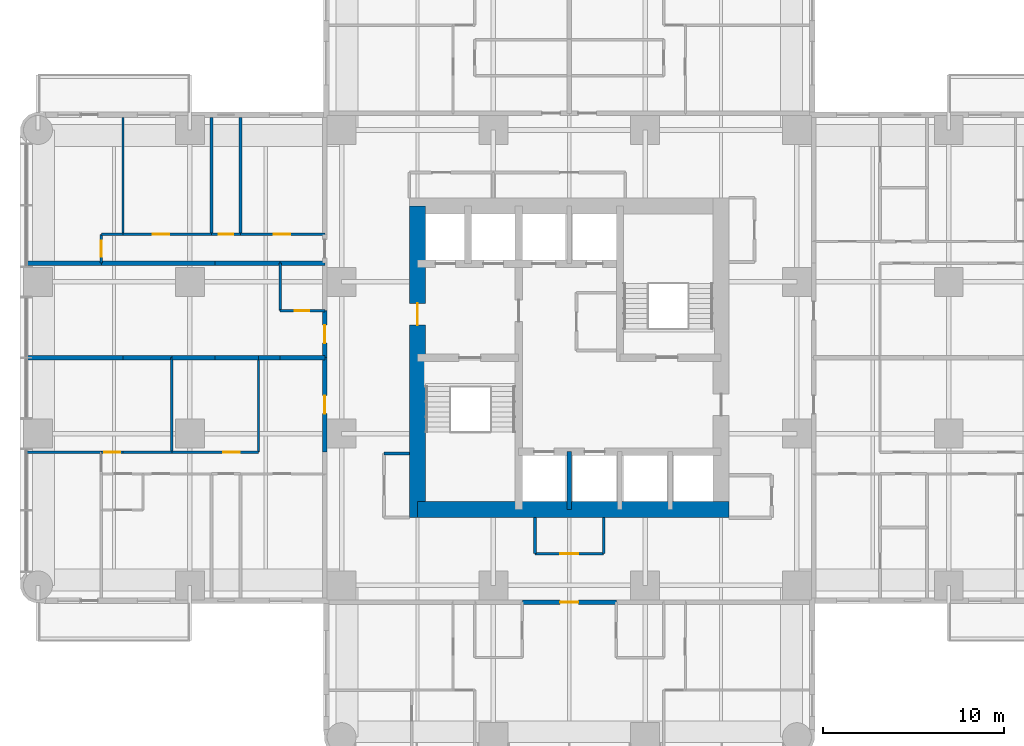
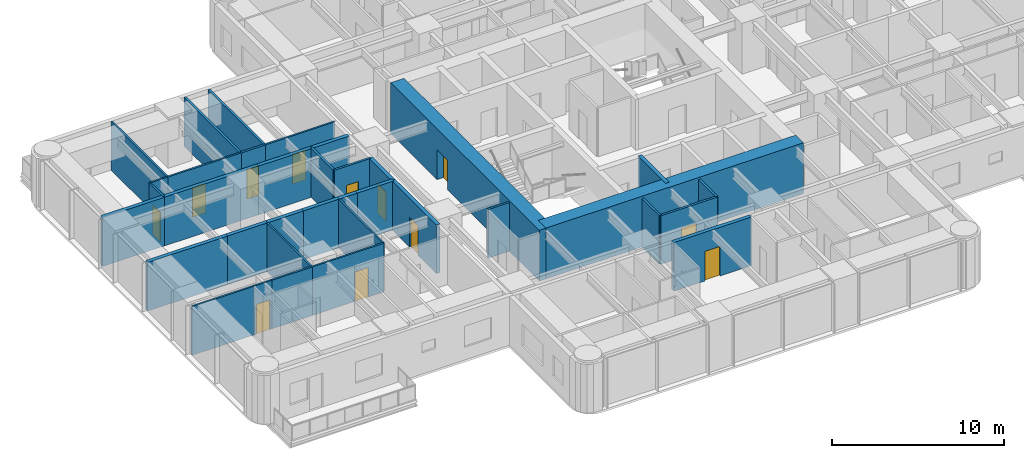
# One storey, part 7 of 15: 36 walls, 12 doors, 12 openings.
"""IFC4 building model written with IfcOpenShell, lengths in metres."""

import ifcopenshell
import ifcopenshell.guid

model = None  # the IFC model being written
_history = None  # IfcOwnerHistory: only IFC2X3 demands one
_inside = {}  # id of a spatial element -> (the spatial element, [elements in it])
_under = {}  # id of a project, library or spatial element -> (it, [spatial elements below it])
_declared = {}  # id of a project -> (the project, [libraries it declares])
_typed = {}  # id of a type object -> (the type object, [elements of that type])
_made_of = {}  # id of a material, layer set ... -> (it, [elements and type objects made of it])


def new_model(schema):
    """Start an empty IFC model of exactly this schema.

    Asked for "IFC4X3", IfcOpenShell would pick the latest addendum, in which some entities
    have other attributes; the version numbers below select the first issue.
    IFC2X3 requires an IfcOwnerHistory on every rooted entity: one is made here for all.
    """
    global model, _history
    if schema == "IFC4X3":
        model = ifcopenshell.file(schema_version=(4, 3, 0, 0))
    else:
        model = ifcopenshell.file(schema=schema)
    _inside.clear()
    _under.clear()
    _declared.clear()
    _typed.clear()
    _made_of.clear()
    _history = None
    if model.schema == "IFC2X3":
        org = make("IfcOrganization", Name="unknown")
        user = make(
            "IfcPersonAndOrganization",
            ThePerson=make("IfcPerson", FamilyName="unknown"),
            TheOrganization=org,
        )
        app = make(
            "IfcApplication",
            ApplicationDeveloper=org,
            Version="unknown",
            ApplicationFullName="unknown",
            ApplicationIdentifier="unknown",
        )
        _history = make(
            "IfcOwnerHistory",
            OwningUser=user,
            OwningApplication=app,
            ChangeAction="ADDED",
            CreationDate=0,
        )
    return model


def make(cls, **values):
    """One entity of the class cls with the attributes given. An attribute that is None is left unset."""
    return model.create_entity(
        cls, **{name: value for name, value in values.items() if value is not None}
    )


def rooted(cls, **values):
    """An entity with a GlobalId (a new one), such as an element, a storey or a relation."""
    return make(cls, GlobalId=ifcopenshell.guid.new(), OwnerHistory=_history, **values)


def si_unit(unit_type, name, prefix=None):
    """IfcSIUnit, for example si_unit("LENGTHUNIT", "METRE", prefix="MILLI")."""
    return make("IfcSIUnit", UnitType=unit_type, Prefix=prefix, Name=name)


def assignment(units):
    """IfcUnitAssignment: the units of a project."""
    return None if units is None else make("IfcUnitAssignment", Units=units)


def point(xyz):
    """IfcCartesianPoint."""
    return None if xyz is None else make("IfcCartesianPoint", Coordinates=xyz)


def direction(xyz):
    """IfcDirection."""
    return None if xyz is None else make("IfcDirection", DirectionRatios=xyz)


def frame(location, z_axis=None, x_axis=None):
    """IfcAxis2Placement3D, a coordinate frame: its origin and axes. An axis left out is left unset."""
    return make(
        "IfcAxis2Placement3D",
        Location=point(location),
        Axis=direction(z_axis),
        RefDirection=direction(x_axis),
    )


def frame_2d(location, x_axis=None):
    """IfcAxis2Placement2D, a coordinate frame in the plane: its origin and x axis."""
    return make(
        "IfcAxis2Placement2D", Location=point(location), RefDirection=direction(x_axis)
    )


def origin():
    """The frame at (0, 0, 0) with its axes left unset."""
    return frame((0.0, 0.0, 0.0))


def place(relative_to, where):
    """IfcLocalPlacement: puts the frame where relative to a parent placement (None: the world)."""
    return make(
        "IfcLocalPlacement", PlacementRelTo=relative_to, RelativePlacement=where
    )


def context(
    kind, dimensions, precision=None, world=None, true_north=None, identifier=None
):
    """IfcGeometricRepresentationContext, for example the 3D "Model" context."""
    return make(
        "IfcGeometricRepresentationContext",
        ContextIdentifier=identifier,
        ContextType=kind,
        CoordinateSpaceDimension=dimensions,
        Precision=precision,
        WorldCoordinateSystem=world,
        TrueNorth=true_north,
    )


def subcontext(parent, identifier, kind, view, scale=None):
    """IfcGeometricRepresentationSubContext, for example "Body" below "Model"."""
    return make(
        "IfcGeometricRepresentationSubContext",
        ContextIdentifier=identifier,
        ContextType=kind,
        ParentContext=parent,
        TargetScale=scale,
        TargetView=view,
    )


def project(units=None, contexts=None):
    """IfcProject with its units and contexts."""
    return rooted(
        "IfcProject",
        Name="project",
        RepresentationContexts=contexts,
        UnitsInContext=assignment(units),
    )


def spatial(cls, under=None, at=None, **own):
    """A site, building, storey or space (cls), placed at a placement, below another one or the project."""
    s = rooted(cls, ObjectPlacement=at, **own)
    if under is not None:
        _under.setdefault(under.id(), (under, []))[1].append(s)
    return s


def profile(cls, at=None, kind="AREA", **sizes):
    """A parametric profile (cls). Its sizes go by their IFC names, for example OverallWidth=200.0."""
    return make(cls, ProfileType=kind, Position=at, **sizes)


def rectangle(**sizes):
    """IfcRectangleProfileDef."""
    return profile("IfcRectangleProfileDef", **sizes)


def extrude(swept, where, along, depth):
    """IfcExtrudedAreaSolid: the profile swept, set in the frame where, extruded along a direction by depth."""
    return make(
        "IfcExtrudedAreaSolid",
        SweptArea=swept,
        Position=where,
        ExtrudedDirection=direction(along),
        Depth=depth,
    )


def shape(context_of_items, identifier, shape_type, items):
    """IfcShapeRepresentation: the items that make up one representation, for example the "Body"."""
    return make(
        "IfcShapeRepresentation",
        ContextOfItems=context_of_items,
        RepresentationIdentifier=identifier,
        RepresentationType=shape_type,
        Items=items,
    )


def material(Name=None, Category=None):
    """IfcMaterial."""
    return make("IfcMaterial", Name=Name, Category=Category)


def layer(
    of_material, thickness, ventilated=None, Name=None, Category=None, Priority=None
):
    """IfcMaterialLayer: one layer of a wall or slab, of a material (None: an air gap)."""
    return make(
        "IfcMaterialLayer",
        Material=of_material,
        LayerThickness=thickness,
        IsVentilated=ventilated,
        Name=Name,
        Category=Category,
        Priority=Priority,
    )


def layer_set(layers, Name=None):
    """IfcMaterialLayerSet."""
    return make("IfcMaterialLayerSet", MaterialLayers=layers, LayerSetName=Name)


def made_of(thing, what):
    """Note that an element or type object is made of a material, layer set ...; save() writes the relation."""
    if what is not None:
        _made_of.setdefault(what.id(), (what, []))[1].append(thing)
    return thing


def type_object(cls, material=None, **own):
    """A type object (cls), such as IfcWallType, which elements share."""
    return made_of(rooted(cls, **own), material)


def element(
    cls,
    number,
    at=None,
    inside=None,
    cuts=None,
    type_object=None,
    material=None,
    context=None,
    identifier="Body",
    shape_type=None,
    held_by="IfcProductDefinitionShape",
    body=None,
    shapes=None,
    **own,
):
    """One element of the class cls, such as IfcWall. Its Tag is "e" and its number.

    at: its placement. inside: the storey or other place that contains it. cuts: it is an
    opening in that element (IfcRelVoidsElement). A single representation is given by context,
    identifier, shape_type and body (its items); several are given by shapes. held_by: the class
    of the entity that holds the representations. save() writes the other relations.
    """
    e = rooted(cls, Tag="e%d" % number, ObjectPlacement=at, **own)
    if body is not None:
        shapes = [shape(context, identifier, shape_type, body)]
    if shapes is not None:
        e.Representation = make(held_by, Representations=shapes)
    if inside is not None:
        _inside.setdefault(inside.id(), (inside, []))[1].append(e)
    if cuts is not None:
        rooted(
            "IfcRelVoidsElement", RelatingBuildingElement=cuts, RelatedOpeningElement=e
        )
    if type_object is not None:
        _typed.setdefault(type_object.id(), (type_object, []))[1].append(e)
    return made_of(e, material)


def fill(opening, filler):
    """IfcRelFillsElement: the door or window that sits in an opening."""
    return rooted(
        "IfcRelFillsElement",
        RelatingOpeningElement=opening,
        RelatedBuildingElement=filler,
    )


def aggregate(whole, parts):
    """IfcRelAggregates: a whole, such as a stair, and the parts it consists of."""
    return rooted("IfcRelAggregates", RelatingObject=whole, RelatedObjects=parts)


def save(model, path):
    """Write the relations noted so far, then the file.

    IfcRelAggregates (storeys below a building ...), IfcRelContainedInSpatialStructure (elements
    in a storey), IfcRelDefinesByType, IfcRelAssociatesMaterial and IfcRelDeclares: one each for
    every whole, place, type object, material and project.
    """
    for whole, parts in _under.values():
        aggregate(whole, parts)
    for where, things in _inside.values():
        rooted(
            "IfcRelContainedInSpatialStructure",
            RelatedElements=things,
            RelatingStructure=where,
        )
    for kind, things in _typed.values():
        rooted("IfcRelDefinesByType", RelatedObjects=things, RelatingType=kind)
    for what, things in _made_of.values():
        rooted("IfcRelAssociatesMaterial", RelatedObjects=things, RelatingMaterial=what)
    for by, libraries in _declared.values():
        rooted("IfcRelDeclares", RelatingContext=by, RelatedDefinitions=libraries)
    model.write(path)


model = new_model("IFC4")

# Units and contexts
model_context = context("Model", 3, precision=1e-05, world=origin(), true_north=direction((0.0, 1.0)))
body_context = subcontext(model_context, "Body", "Model", "MODEL_VIEW")
ifc_project = project(units=[si_unit("LENGTHUNIT", "METRE"), si_unit("AREAUNIT", "SQUARE_METRE"), si_unit("VOLUMEUNIT", "CUBIC_METRE"), si_unit("PLANEANGLEUNIT", "RADIAN"), si_unit("MASSUNIT", "GRAM", prefix="KILO")], contexts=[model_context])

# Site, building, storey
site_placement = place(None, origin())
site = spatial("IfcSite", under=ifc_project, at=site_placement, CompositionType="ELEMENT")
building_placement = place(site_placement, origin())
building = spatial("IfcBuilding", under=site, at=building_placement, Name="Torre Alcanfor", CompositionType="ELEMENT")
storey_placement = place(building_placement, frame((0.0, 0.0, 116.10009765625)))
storey = spatial("IfcBuildingStorey", under=building, at=storey_placement, Name="L29", CompositionType="ELEMENT", Elevation=116.10009765625)

# Wall, opening, door
ifc_material_1 = material(Name="Concrete block masonry, hollow blocks NMX-C-404 9 MPa", Category="masonry")
ifc_layer_1 = layer(ifc_material_1, 0.25)
ifc_layer_set_1 = layer_set([ifc_layer_1], Name="Apartment entrance wall 250 EI 60")
wall_type_1 = type_object("IfcWallType", Name="Apartment entrance wall 250 EI 60", PredefinedType="PARTITIONING", material=ifc_layer_set_1)
wall_1_placement = place(storey_placement, frame((32.0, 15.875, 0.0), z_axis=(0.0, 0.0, 1.0), x_axis=(-1.0, 0.0, 0.0)))
wall_1 = element("IfcWall", 1, at=wall_1_placement, inside=storey, type_object=wall_type_1, Name="Partition L29-CORR / L29-SX-ZAG", PredefinedType="PARTITIONING", context=body_context, shape_type="SweptSolid", body=[
    extrude(rectangle(XDim=5.199951171875, YDim=0.25, at=frame_2d((2.60009765625, 0.0))), origin(), (0.0, 0.0, 1.0), 3.449951171875),
])
opening_1_placement = place(wall_1_placement, frame((2.10009765625, 0.0, 0.0)))
opening_1 = element("IfcOpeningElement", 2, at=opening_1_placement, cuts=wall_1, Name="Opening D-A1", PredefinedType="OPENING", context=body_context, shape_type="SweptSolid", body=[
    extrude(rectangle(XDim=1.0, YDim=2.10009765625, at=frame_2d((0.5, 1.050048828125))), frame((0.0, 0.135009765625, 0.0), z_axis=(0.0, -1.0, 0.0), x_axis=(1.0, 0.0, 0.0)), (0.0, 0.0, 1.0), 0.27001953125),
])
ifc_material_2 = material(Name="Galvanised steel sheet ASTM A653", Category="steel")
door_type_1 = type_object("IfcDoorType", Name="Apartment entrance door FD60 1000x2100", OperationType="SINGLE_SWING_LEFT", PredefinedType="DOOR", material=ifc_material_2)
door_1_placement = place(opening_1_placement, origin())
door_1 = element("IfcDoor", 3, at=door_1_placement, inside=storey, type_object=door_type_1, Name="Apartment entrance L29-SX", OperationType="SINGLE_SWING_LEFT", OverallHeight=2.10009765625, OverallWidth=1.0, PredefinedType="DOOR", context=body_context, shape_type="SweptSolid", body=[
    extrude(rectangle(XDim=1.0, YDim=2.10009765625, at=frame_2d((0.5, 1.050048828125))), frame((0.0, 0.02490234375, 0.0), z_axis=(0.0, -1.0, 0.0), x_axis=(1.0, 0.0, 0.0)), (0.0, 0.0, 1.0), 0.050048828125),
])
fill(opening_1, door_1)

wall_2_placement = place(storey_placement, frame((15.875, 24.1708984375, 0.0), z_axis=(0.0, 0.0, 1.0), x_axis=(0.0, 1.0, 0.0)))
wall_2 = element("IfcWall", 4, at=wall_2_placement, inside=storey, type_object=wall_type_1, Name="Partition L29-CORR / L29-W1-ZAG", PredefinedType="PARTITIONING", context=body_context, shape_type="SweptSolid", body=[
    extrude(rectangle(XDim=5.22900390625, YDim=0.25, at=frame_2d((2.614501953125, 0.0))), origin(), (0.0, 0.0, 1.0), 3.449951171875),
])
opening_2_placement = place(wall_2_placement, frame((2.12890625, 0.0, 0.0)))
opening_2 = element("IfcOpeningElement", 5, at=opening_2_placement, cuts=wall_2, Name="Opening D-A1", PredefinedType="OPENING", context=body_context, shape_type="SweptSolid", body=[
    extrude(rectangle(XDim=1.0, YDim=2.10009765625, at=frame_2d((0.5, 1.050048828125))), frame((0.0, 0.135009765625, 0.0), z_axis=(0.0, -1.0, 0.0), x_axis=(1.0, 0.0, 0.0)), (0.0, 0.0, 1.0), 0.27001953125),
])
door_2_placement = place(opening_2_placement, origin())
door_2 = element("IfcDoor", 6, at=door_2_placement, inside=storey, type_object=door_type_1, Name="Apartment entrance L29-W1", OperationType="SINGLE_SWING_RIGHT", OverallHeight=2.10009765625, OverallWidth=1.0, PredefinedType="DOOR", context=body_context, shape_type="SweptSolid", body=[
    extrude(rectangle(XDim=1.0, YDim=2.10009765625, at=frame_2d((0.5, 1.050048828125))), frame((0.0, 0.02490234375, 0.0), z_axis=(0.0, -1.0, 0.0), x_axis=(1.0, 0.0, 0.0)), (0.0, 0.0, 1.0), 0.050048828125),
])
fill(opening_2, door_2)

wall_3_placement = place(storey_placement, frame((15.875, 29.39990234375, 0.0), z_axis=(0.0, 0.0, 1.0), x_axis=(0.0, 1.0, 0.0)))
wall_3 = element("IfcWall", 7, at=wall_3_placement, inside=storey, type_object=wall_type_1, Name="Partition L29-CORR / L29-W2A-FOYER", PredefinedType="PARTITIONING", context=body_context, shape_type="SweptSolid", body=[
    extrude(rectangle(XDim=2.60009765625, YDim=0.25, at=frame_2d((1.300048828125, 0.0))), origin(), (0.0, 0.0, 1.0), 3.449951171875),
])
opening_3_placement = place(wall_3_placement, frame((0.800048828125, 0.0, 0.0)))
opening_3 = element("IfcOpeningElement", 8, at=opening_3_placement, cuts=wall_3, Name="Opening D-A1", PredefinedType="OPENING", context=body_context, shape_type="SweptSolid", body=[
    extrude(rectangle(XDim=1.0, YDim=2.10009765625, at=frame_2d((0.5, 1.050048828125))), frame((0.0, 0.135009765625, 0.0), z_axis=(0.0, -1.0, 0.0), x_axis=(1.0, 0.0, 0.0)), (0.0, 0.0, 1.0), 0.27001953125),
])
door_3_placement = place(opening_3_placement, origin())
door_3 = element("IfcDoor", 9, at=door_3_placement, inside=storey, type_object=door_type_1, Name="Apartment entrance L29-W2A", OperationType="SINGLE_SWING_LEFT", OverallHeight=2.10009765625, OverallWidth=1.0, PredefinedType="DOOR", context=body_context, shape_type="SweptSolid", body=[
    extrude(rectangle(XDim=1.0, YDim=2.10009765625, at=frame_2d((0.5, 1.050048828125))), frame((0.0, 0.02490234375, 0.0), z_axis=(0.0, -1.0, 0.0), x_axis=(1.0, 0.0, 0.0)), (0.0, 0.0, 1.0), 0.050048828125),
])
fill(opening_3, door_3)

# Walls
ifc_material_3 = material(Name="Gypsum board on steel studs", Category="steel")
ifc_layer_2 = layer(ifc_material_3, 0.1201171875)
ifc_layer_set_2 = layer_set([ifc_layer_2], Name="Apartment partition 120")
wall_type_2 = type_object("IfcWallType", Name="Apartment partition 120", PredefinedType="PARTITIONING", material=ifc_layer_set_2)
for number, where, z_axis, x_axis, name in (
    (10, (12.199951171875, 29.39990234375, 0.0), (0.0, 0.0, 1.0), (0.0, -1.0, 0.0), "Partition L29-W1-ZAG / L29-W1-FAMILY"),
    (11, (7.39990234375, 29.39990234375, 0.0), (0.0, 0.0, 1.0), (0.0, -1.0, 0.0), "Partition L29-W1-FAMILY / L29-W1-KITCHEN"),
):
    element("IfcWall", number, at=place(storey_placement, frame(where, z_axis=z_axis, x_axis=x_axis)), inside=storey, type_object=wall_type_2, Name=name, PredefinedType="PARTITIONING", context=body_context, shape_type="SweptSolid", body=[
        extrude(rectangle(XDim=5.22900390625, YDim=0.1201171875, at=frame_2d((2.614501953125, 0.0))), origin(), (0.0, 0.0, 1.0), 3.449951171875),
    ])

# Wall, opening, door
wall_4_placement = place(storey_placement, frame((7.39990234375, 24.1708984375, 0.0), z_axis=(0.0, 0.0, 1.0), x_axis=(1.0, 0.0, 0.0)))
wall_4 = element("IfcWall", 12, at=wall_4_placement, inside=storey, type_object=wall_type_2, Name="Partition L29-W1-FAMILY / L29-W1-HALL", PredefinedType="PARTITIONING", context=body_context, shape_type="SweptSolid", body=[
    extrude(rectangle(XDim=4.800048828125, YDim=0.1201171875, at=frame_2d((2.39990234375, 0.0))), origin(), (0.0, 0.0, 1.0), 3.449951171875),
])
opening_4_placement = place(wall_4_placement, frame((2.85009765625, 0.0, 0.0)))
opening_4 = element("IfcOpeningElement", 13, at=opening_4_placement, cuts=wall_4, Name="Opening D-R1", PredefinedType="OPENING", context=body_context, shape_type="SweptSolid", body=[
    extrude(rectangle(XDim=0.89990234375, YDim=2.10009765625, at=frame_2d((0.449951171875, 1.050048828125))), frame((0.0, 0.070068359375, 0.0), z_axis=(0.0, -1.0, 0.0), x_axis=(1.0, 0.0, 0.0)), (0.0, 0.0, 1.0), 0.14013671875),
])
ifc_material_4 = material(Name="Timber", Category="wood")
door_type_2 = type_object("IfcDoorType", Name="Internal door 900x2100", OperationType="SINGLE_SWING_LEFT", PredefinedType="DOOR", material=ifc_material_4)
door_4_placement = place(opening_4_placement, origin())
door_4 = element("IfcDoor", 14, at=door_4_placement, inside=storey, type_object=door_type_2, Name="Door L29-W1 family", OperationType="SINGLE_SWING_RIGHT", OverallHeight=2.10009765625, OverallWidth=0.89990234375, PredefinedType="DOOR", context=body_context, shape_type="SweptSolid", body=[
    extrude(rectangle(XDim=0.89990234375, YDim=2.10009765625, at=frame_2d((0.449951171875, 1.050048828125))), frame((0.0, 0.02490234375, 0.0), z_axis=(0.0, -1.0, 0.0), x_axis=(1.0, 0.0, 0.0)), (0.0, 0.0, 1.0), 0.050048828125),
])
fill(opening_4, door_4)

# Wall
wall_5_placement = place(storey_placement, frame((4.699951171875, 24.1708984375, 0.0), z_axis=(0.0, 0.0, 1.0), x_axis=(1.0, 0.0, 0.0)))
element("IfcWall", 15, at=wall_5_placement, inside=storey, type_object=wall_type_2, Name="Partition L29-W1-KITCHEN / L29-W1-HALL", PredefinedType="PARTITIONING", context=body_context, shape_type="SweptSolid", body=[
    extrude(rectangle(XDim=2.699951171875, YDim=0.1201171875, at=frame_2d((1.35009765625, 0.0))), origin(), (0.0, 0.0, 1.0), 3.449951171875),
])

# Wall, opening, door
wall_6_placement = place(storey_placement, frame((3.5, 24.1708984375, 0.0), z_axis=(0.0, 0.0, 1.0), x_axis=(1.0, 0.0, 0.0)))
wall_6 = element("IfcWall", 16, at=wall_6_placement, inside=storey, type_object=wall_type_2, Name="Partition L29-W1-LIVING / L29-W1-HALL", PredefinedType="PARTITIONING", context=body_context, shape_type="SweptSolid", body=[
    extrude(rectangle(XDim=1.199951171875, YDim=0.1201171875, at=frame_2d((0.60009765625, 0.0))), origin(), (0.0, 0.0, 1.0), 3.449951171875),
])
opening_5_placement = place(wall_6_placement, frame((0.14990234375, 0.0, 0.0)))
opening_5 = element("IfcOpeningElement", 17, at=opening_5_placement, cuts=wall_6, Name="Opening D-R1", PredefinedType="OPENING", context=body_context, shape_type="SweptSolid", body=[
    extrude(rectangle(XDim=0.89990234375, YDim=2.10009765625, at=frame_2d((0.449951171875, 1.050048828125))), frame((0.0, 0.070068359375, 0.0), z_axis=(0.0, -1.0, 0.0), x_axis=(1.0, 0.0, 0.0)), (0.0, 0.0, 1.0), 0.14013671875),
])
door_5_placement = place(opening_5_placement, origin())
door_5 = element("IfcDoor", 18, at=door_5_placement, inside=storey, type_object=door_type_2, Name="Door L29-W1 living", OperationType="SINGLE_SWING_RIGHT", OverallHeight=2.10009765625, OverallWidth=0.89990234375, PredefinedType="DOOR", context=body_context, shape_type="SweptSolid", body=[
    extrude(rectangle(XDim=0.89990234375, YDim=2.10009765625, at=frame_2d((0.449951171875, 1.050048828125))), frame((0.0, 0.02490234375, 0.0), z_axis=(0.0, -1.0, 0.0), x_axis=(1.0, 0.0, 0.0)), (0.0, 0.0, 1.0), 0.050048828125),
])
fill(opening_5, door_5)

# Wall
wall_7_placement = place(storey_placement, frame((-0.64990234375, 24.1708984375, 0.0), z_axis=(0.0, 0.0, 1.0), x_axis=(1.0, 0.0, 0.0)))
element("IfcWall", 19, at=wall_7_placement, inside=storey, type_object=wall_type_2, Name="Partition L29-W1-LIVING / L29-W1-WGARD", PredefinedType="PARTITIONING", context=body_context, shape_type="SweptSolid", body=[
    extrude(rectangle(XDim=4.14990234375, YDim=0.1201171875, at=frame_2d((2.074951171875, 0.0))), origin(), (0.0, 0.0, 1.0), 3.449951171875),
])

# Wall, opening, door
wall_8_placement = place(storey_placement, frame((11.199951171875, 36.22900390625, 0.0), z_axis=(0.0, 0.0, 1.0), x_axis=(1.0, 0.0, 0.0)))
wall_8 = element("IfcWall", 20, at=wall_8_placement, inside=storey, type_object=wall_type_2, Name="Partition L29-W2B-HALL / L29-W2B-BED2", PredefinedType="PARTITIONING", context=body_context, shape_type="SweptSolid", body=[
    extrude(rectangle(XDim=4.675048828125, YDim=0.1201171875, at=frame_2d((2.33740234375, 0.0))), origin(), (0.0, 0.0, 1.0), 3.449951171875),
])
opening_6_placement = place(wall_8_placement, frame((1.85009765625, 0.0, 0.0)))
opening_6 = element("IfcOpeningElement", 21, at=opening_6_placement, cuts=wall_8, Name="Opening D-R1", PredefinedType="OPENING", context=body_context, shape_type="SweptSolid", body=[
    extrude(rectangle(XDim=0.89990234375, YDim=2.10009765625, at=frame_2d((0.449951171875, 1.050048828125))), frame((0.0, 0.070068359375, 0.0), z_axis=(0.0, -1.0, 0.0), x_axis=(1.0, 0.0, 0.0)), (0.0, 0.0, 1.0), 0.14013671875),
])
door_6_placement = place(opening_6_placement, origin())
door_6 = element("IfcDoor", 22, at=door_6_placement, inside=storey, type_object=door_type_2, Name="Door L29-W2B bed2", OperationType="SINGLE_SWING_LEFT", OverallHeight=2.10009765625, OverallWidth=0.89990234375, PredefinedType="DOOR", context=body_context, shape_type="SweptSolid", body=[
    extrude(rectangle(XDim=0.89990234375, YDim=2.10009765625, at=frame_2d((0.449951171875, 1.050048828125))), frame((0.0, 0.02490234375, 0.0), z_axis=(0.0, -1.0, 0.0), x_axis=(1.0, 0.0, 0.0)), (0.0, 0.0, 1.0), 0.050048828125),
])
fill(opening_6, door_6)

wall_9_placement = place(storey_placement, frame((4.699951171875, 36.22900390625, 0.0), z_axis=(0.0, 0.0, 1.0), x_axis=(1.0, 0.0, 0.0)))
wall_9 = element("IfcWall", 23, at=wall_9_placement, inside=storey, type_object=wall_type_2, Name="Partition L29-W2B-HALL / L29-W2B-MASTER", PredefinedType="PARTITIONING", context=body_context, shape_type="SweptSolid", body=[
    extrude(rectangle(XDim=4.900146484375, YDim=0.1201171875, at=frame_2d((2.4501953125, 0.0))), origin(), (0.0, 0.0, 1.0), 3.449951171875),
])
opening_7_placement = place(wall_9_placement, frame((1.64990234375, 0.0, 0.0)))
opening_7 = element("IfcOpeningElement", 24, at=opening_7_placement, cuts=wall_9, Name="Opening D-R1", PredefinedType="OPENING", context=body_context, shape_type="SweptSolid", body=[
    extrude(rectangle(XDim=0.89990234375, YDim=2.10009765625, at=frame_2d((0.449951171875, 1.050048828125))), frame((0.0, 0.070068359375, 0.0), z_axis=(0.0, -1.0, 0.0), x_axis=(1.0, 0.0, 0.0)), (0.0, 0.0, 1.0), 0.14013671875),
])
door_7_placement = place(opening_7_placement, origin())
door_7 = element("IfcDoor", 25, at=door_7_placement, inside=storey, type_object=door_type_2, Name="Door L29-W2B master", OperationType="SINGLE_SWING_LEFT", OverallHeight=2.10009765625, OverallWidth=0.89990234375, PredefinedType="DOOR", context=body_context, shape_type="SweptSolid", body=[
    extrude(rectangle(XDim=0.89990234375, YDim=2.10009765625, at=frame_2d((0.449951171875, 1.050048828125))), frame((0.0, 0.02490234375, 0.0), z_axis=(0.0, -1.0, 0.0), x_axis=(1.0, 0.0, 0.0)), (0.0, 0.0, 1.0), 0.050048828125),
])
fill(opening_7, door_7)

# Wall
wall_10_placement = place(storey_placement, frame((3.5, 36.22900390625, 0.0), z_axis=(0.0, 0.0, 1.0), x_axis=(1.0, 0.0, 0.0)))
element("IfcWall", 26, at=wall_10_placement, inside=storey, type_object=wall_type_2, Name="Partition L29-W2B-HALL / L29-W2B-KITCHEN", PredefinedType="PARTITIONING", context=body_context, shape_type="SweptSolid", body=[
    extrude(rectangle(XDim=1.199951171875, YDim=0.1201171875, at=frame_2d((0.60009765625, 0.0))), origin(), (0.0, 0.0, 1.0), 3.449951171875),
])

# Wall, opening, door
wall_11_placement = place(storey_placement, frame((3.5, 34.62890625, 0.0), z_axis=(0.0, 0.0, 1.0), x_axis=(0.0, 1.0, 0.0)))
wall_11 = element("IfcWall", 27, at=wall_11_placement, inside=storey, type_object=wall_type_2, Name="Partition L29-W2B-HALL / L29-W2B-LIVING", PredefinedType="PARTITIONING", context=body_context, shape_type="SweptSolid", body=[
    extrude(rectangle(XDim=1.60009765625, YDim=0.1201171875, at=frame_2d((0.800048828125, 0.0))), origin(), (0.0, 0.0, 1.0), 3.449951171875),
])
opening_8_placement = place(wall_11_placement, frame((0.35009765625, 0.0, 0.0)))
opening_8 = element("IfcOpeningElement", 28, at=opening_8_placement, cuts=wall_11, Name="Opening D-R1", PredefinedType="OPENING", context=body_context, shape_type="SweptSolid", body=[
    extrude(rectangle(XDim=0.89990234375, YDim=2.10009765625, at=frame_2d((0.449951171875, 1.050048828125))), frame((0.0, 0.070068359375, 0.0), z_axis=(0.0, -1.0, 0.0), x_axis=(1.0, 0.0, 0.0)), (0.0, 0.0, 1.0), 0.14013671875),
])
door_8_placement = place(opening_8_placement, origin())
door_8 = element("IfcDoor", 29, at=door_8_placement, inside=storey, type_object=door_type_2, Name="Door L29-W2B living", OperationType="SINGLE_SWING_LEFT", OverallHeight=2.10009765625, OverallWidth=0.89990234375, PredefinedType="DOOR", context=body_context, shape_type="SweptSolid", body=[
    extrude(rectangle(XDim=0.89990234375, YDim=2.10009765625, at=frame_2d((0.449951171875, 1.050048828125))), frame((0.0, 0.02490234375, 0.0), z_axis=(0.0, -1.0, 0.0), x_axis=(1.0, 0.0, 0.0)), (0.0, 0.0, 1.0), 0.050048828125),
])
fill(opening_8, door_8)

# Walls
wall_12_placement = place(storey_placement, frame((4.699951171875, 36.22900390625, 0.0), z_axis=(0.0, 0.0, 1.0), x_axis=(0.0, 1.0, 0.0)))
element("IfcWall", 30, at=wall_12_placement, inside=storey, type_object=wall_type_2, Name="Partition L29-W2B-MASTER / L29-W2B-KITCHEN", PredefinedType="PARTITIONING", context=body_context, shape_type="SweptSolid", body=[
    extrude(rectangle(XDim=6.470947265625, YDim=0.1201171875, at=frame_2d((3.2353515625, 0.0))), origin(), (0.0, 0.0, 1.0), 3.449951171875),
])
ifc_material_5 = material(Name="Concrete f'c 70 MPa", Category="concrete")
ifc_layer_3 = layer(ifc_material_5, 0.25)
ifc_layer_set_3 = layer_set([ifc_layer_3], Name="Core shaft wall 250 f'c70")
wall_type_3 = type_object("IfcWallType", Name="Core shaft wall 250 f'c70", PredefinedType="SHEAR", material=ifc_layer_set_3)
wall_13_placement = place(storey_placement, frame((29.39990234375, 21.0, 0.0), z_axis=(0.0, 0.0, 1.0), x_axis=(0.0, 1.0, 0.0)))
element("IfcWall", 31, at=wall_13_placement, inside=storey, type_object=wall_type_3, Name="Core wall X294S L29", PredefinedType="SHEAR", context=body_context, shape_type="SweptSolid", body=[
    extrude(rectangle(XDim=3.199951171875, YDim=0.25, at=frame_2d((1.60009765625, 0.0))), origin(), (0.0, 0.0, 1.0), 3.599853515625),
])
ifc_material_6 = material(Name="Concrete f'c 70 MPa", Category="concrete")
ifc_layer_4 = layer(ifc_material_6, 0.89990234375)
ifc_layer_set_4 = layer_set([ifc_layer_4], Name="Core wall 900 f'c70")
wall_type_4 = type_object("IfcWallType", Name="Core wall 900 f'c70", PredefinedType="SHEAR", material=ifc_layer_set_4)
wall_14_placement = place(storey_placement, frame((21.0, 21.0, 0.0), z_axis=(0.0, 0.0, 1.0), x_axis=(1.0, 0.0, 0.0)))
element("IfcWall", 32, at=wall_14_placement, inside=storey, type_object=wall_type_4, Name="Core wall OUT-S L29", PredefinedType="SHEAR", context=body_context, shape_type="SweptSolid", body=[
    extrude(rectangle(XDim=17.25, YDim=0.89990234375, at=frame_2d((8.625, 0.0))), origin(), (0.0, 0.0, 1.0), 3.599853515625),
])

# Wall, opening, door
wall_15_placement = place(storey_placement, frame((21.0, 37.800048828125, 0.0), z_axis=(0.0, 0.0, 1.0), x_axis=(0.0, -1.0, 0.0)))
wall_15 = element("IfcWall", 33, at=wall_15_placement, inside=storey, type_object=wall_type_4, Name="Core wall OUT-W L29", PredefinedType="SHEAR", context=body_context, shape_type="SweptSolid", body=[
    extrude(rectangle(XDim=17.25, YDim=0.89990234375, at=frame_2d((8.625, 0.0))), origin(), (0.0, 0.0, 1.0), 3.599853515625),
])
opening_9_placement = place(wall_15_placement, frame((5.39990234375, 0.0, 0.0)))
opening_9 = element("IfcOpeningElement", 34, at=opening_9_placement, cuts=wall_15, Name="Opening D-L1", PredefinedType="OPENING", context=body_context, shape_type="SweptSolid", body=[
    extrude(rectangle(XDim=1.199951171875, YDim=2.10009765625, at=frame_2d((0.60009765625, 1.050048828125))), frame((0.0, 0.4599609375, 0.0), z_axis=(0.0, -1.0, 0.0), x_axis=(1.0, 0.0, 0.0)), (0.0, 0.0, 1.0), 0.919921875),
])
ifc_material_7 = material(Name="Galvanised steel sheet ASTM A653", Category="steel")
door_type_3 = type_object("IfcDoorType", Name="Lobby door FD120 1200x2100", OperationType="SINGLE_SWING_LEFT", PredefinedType="DOOR", material=ifc_material_7)
door_9_placement = place(opening_9_placement, origin())
door_9 = element("IfcDoor", 35, at=door_9_placement, inside=storey, type_object=door_type_3, Name="Firefighting lobby door L29", OperationType="SINGLE_SWING_LEFT", OverallHeight=2.10009765625, OverallWidth=1.199951171875, PredefinedType="DOOR", context=body_context, shape_type="SweptSolid", body=[
    extrude(rectangle(XDim=1.199951171875, YDim=2.10009765625, at=frame_2d((0.60009765625, 1.050048828125))), frame((0.0, 0.02490234375, 0.0), z_axis=(0.0, -1.0, 0.0), x_axis=(1.0, 0.0, 0.0)), (0.0, 0.0, 1.0), 0.050048828125),
])
fill(opening_9, door_9)

# Walls
ifc_material_8 = material(Name="Concrete block masonry, hollow blocks NMX-C-404 9 MPa", Category="masonry")
ifc_layer_5 = layer(ifc_material_8, 0.25)
ifc_layer_set_5 = layer_set([ifc_layer_5], Name="Party wall 250 EI 60")
wall_type_5 = type_object("IfcWallType", Name="Party wall 250 EI 60", PredefinedType="PARTITIONING", material=ifc_layer_set_5)
wall_16_placement = place(storey_placement, frame((15.875, 29.39990234375, 0.0), z_axis=(0.0, 0.0, 1.0), x_axis=(-1.0, 0.0, 0.0)))
element("IfcWall", 36, at=wall_16_placement, inside=storey, type_object=wall_type_5, Name="Partition L29-W1-ZAG / L29-W2A-FOYER", PredefinedType="PARTITIONING", context=body_context, shape_type="SweptSolid", body=[
    extrude(rectangle(XDim=2.47509765625, YDim=0.25, at=frame_2d((1.237548828125, 0.0))), origin(), (0.0, 0.0, 1.0), 3.449951171875),
])
wall_17_placement = place(storey_placement, frame((13.39990234375, 29.39990234375, 0.0), z_axis=(0.0, 0.0, 1.0), x_axis=(-1.0, 0.0, 0.0)))
element("IfcWall", 37, at=wall_17_placement, inside=storey, type_object=wall_type_5, Name="Partition L29-W1-ZAG / L29-W2A-KITCHEN", PredefinedType="PARTITIONING", context=body_context, shape_type="SweptSolid", body=[
    extrude(rectangle(XDim=1.199951171875, YDim=0.25, at=frame_2d((0.60009765625, 0.0))), origin(), (0.0, 0.0, 1.0), 3.449951171875),
])
wall_18_placement = place(storey_placement, frame((12.199951171875, 29.39990234375, 0.0), z_axis=(0.0, 0.0, 1.0), x_axis=(-1.0, 0.0, 0.0)))
element("IfcWall", 38, at=wall_18_placement, inside=storey, type_object=wall_type_5, Name="Partition L29-W1-FAMILY / L29-W2A-KITCHEN", PredefinedType="PARTITIONING", context=body_context, shape_type="SweptSolid", body=[
    extrude(rectangle(XDim=2.39990234375, YDim=0.25, at=frame_2d((1.199951171875, 0.0))), origin(), (0.0, 0.0, 1.0), 3.449951171875),
])
wall_19_placement = place(storey_placement, frame((9.800048828125, 29.39990234375, 0.0), z_axis=(0.0, 0.0, 1.0), x_axis=(-1.0, 0.0, 0.0)))
element("IfcWall", 39, at=wall_19_placement, inside=storey, type_object=wall_type_5, Name="Partition L29-W1-FAMILY / L29-W2A-STUDIO", PredefinedType="PARTITIONING", context=body_context, shape_type="SweptSolid", body=[
    extrude(rectangle(XDim=2.400146484375, YDim=0.25, at=frame_2d((1.2001953125, 0.0))), origin(), (0.0, 0.0, 1.0), 3.449951171875),
])
wall_20_placement = place(storey_placement, frame((7.39990234375, 29.39990234375, 0.0), z_axis=(0.0, 0.0, 1.0), x_axis=(-1.0, 0.0, 0.0)))
element("IfcWall", 40, at=wall_20_placement, inside=storey, type_object=wall_type_5, Name="Partition L29-W1-KITCHEN / L29-W2A-STUDIO", PredefinedType="PARTITIONING", context=body_context, shape_type="SweptSolid", body=[
    extrude(rectangle(XDim=2.699951171875, YDim=0.25, at=frame_2d((1.35009765625, 0.0))), origin(), (0.0, 0.0, 1.0), 3.449951171875),
])
wall_21_placement = place(storey_placement, frame((4.699951171875, 29.39990234375, 0.0), z_axis=(0.0, 0.0, 1.0), x_axis=(-1.0, 0.0, 0.0)))
element("IfcWall", 41, at=wall_21_placement, inside=storey, type_object=wall_type_5, Name="Partition L29-W1-LIVING / L29-W2A-STUDIO", PredefinedType="PARTITIONING", context=body_context, shape_type="SweptSolid", body=[
    extrude(rectangle(XDim=5.349853515625, YDim=0.25, at=frame_2d((2.6748046875, 0.0))), origin(), (0.0, 0.0, 1.0), 3.449951171875),
])
wall_22_placement = place(storey_placement, frame((13.39990234375, 34.62890625, 0.0), z_axis=(0.0, 0.0, 1.0), x_axis=(1.0, 0.0, 0.0)))
element("IfcWall", 42, at=wall_22_placement, inside=storey, type_object=wall_type_5, Name="Partition L29-W2A-BATH / L29-W2B-HALL", PredefinedType="PARTITIONING", context=body_context, shape_type="SweptSolid", body=[
    extrude(rectangle(XDim=2.47509765625, YDim=0.25, at=frame_2d((1.237548828125, 0.0))), origin(), (0.0, 0.0, 1.0), 3.449951171875),
])
wall_23_placement = place(storey_placement, frame((9.800048828125, 34.62890625, 0.0), z_axis=(0.0, 0.0, 1.0), x_axis=(1.0, 0.0, 0.0)))
element("IfcWall", 43, at=wall_23_placement, inside=storey, type_object=wall_type_5, Name="Partition L29-W2A-KITCHEN / L29-W2B-HALL", PredefinedType="PARTITIONING", context=body_context, shape_type="SweptSolid", body=[
    extrude(rectangle(XDim=3.599853515625, YDim=0.25, at=frame_2d((1.7998046875, 0.0))), origin(), (0.0, 0.0, 1.0), 3.449951171875),
])
wall_24_placement = place(storey_placement, frame((3.5, 34.62890625, 0.0), z_axis=(0.0, 0.0, 1.0), x_axis=(1.0, 0.0, 0.0)))
element("IfcWall", 44, at=wall_24_placement, inside=storey, type_object=wall_type_5, Name="Partition L29-W2A-STUDIO / L29-W2B-HALL", PredefinedType="PARTITIONING", context=body_context, shape_type="SweptSolid", body=[
    extrude(rectangle(XDim=6.300048828125, YDim=0.25, at=frame_2d((3.14990234375, 0.0))), origin(), (0.0, 0.0, 1.0), 3.449951171875),
])
wall_25_placement = place(storey_placement, frame((-0.64990234375, 34.62890625, 0.0), z_axis=(0.0, 0.0, 1.0), x_axis=(1.0, 0.0, 0.0)))
element("IfcWall", 45, at=wall_25_placement, inside=storey, type_object=wall_type_5, Name="Partition L29-W2A-STUDIO / L29-W2B-LIVING", PredefinedType="PARTITIONING", context=body_context, shape_type="SweptSolid", body=[
    extrude(rectangle(XDim=4.14990234375, YDim=0.25, at=frame_2d((2.074951171875, 0.0))), origin(), (0.0, 0.0, 1.0), 3.449951171875),
])
ifc_material_9 = material(Name="Concrete block masonry, hollow blocks NMX-C-404 9 MPa", Category="masonry")
ifc_layer_6 = layer(ifc_material_9, 0.14990234375)
ifc_layer_set_6 = layer_set([ifc_layer_6], Name="Residents' room partition 150")
wall_type_6 = type_object("IfcWallType", Name="Residents' room partition 150", PredefinedType="PARTITIONING", material=ifc_layer_set_6)
wall_26_placement = place(storey_placement, frame((27.5, 20.550048828125, 0.0), z_axis=(0.0, 0.0, 1.0), x_axis=(0.0, -1.0, 0.0)))
element("IfcWall", 46, at=wall_26_placement, inside=storey, type_object=wall_type_6, Name="Partition L29-CORR / L29-G05", PredefinedType="PARTITIONING", context=body_context, shape_type="SweptSolid", body=[
    extrude(rectangle(XDim=2.0, YDim=0.14990234375, at=frame_2d((1.0, 0.0))), origin(), (0.0, 0.0, 1.0), 3.449951171875),
])

# Wall, opening, door
wall_27_placement = place(storey_placement, frame((27.5, 18.550048828125, 0.0), z_axis=(0.0, 0.0, 1.0), x_axis=(1.0, 0.0, 0.0)))
wall_27 = element("IfcWall", 47, at=wall_27_placement, inside=storey, type_object=wall_type_6, Name="Partition L29-CORR / L29-G05", PredefinedType="PARTITIONING", context=body_context, shape_type="SweptSolid", body=[
    extrude(rectangle(XDim=3.800048828125, YDim=0.14990234375, at=frame_2d((1.89990234375, 0.0))), origin(), (0.0, 0.0, 1.0), 3.449951171875),
])
opening_10_placement = place(wall_27_placement, frame((1.39990234375, 0.0, 0.0)))
opening_10 = element("IfcOpeningElement", 48, at=opening_10_placement, cuts=wall_27, Name="Opening D-M1", PredefinedType="OPENING", context=body_context, shape_type="SweptSolid", body=[
    extrude(rectangle(XDim=1.0, YDim=2.10009765625, at=frame_2d((0.5, 1.050048828125))), frame((0.0, 0.0849609375, 0.0), z_axis=(0.0, -1.0, 0.0), x_axis=(1.0, 0.0, 0.0)), (0.0, 0.0, 1.0), 0.169921875),
])
ifc_material_10 = material(Name="Timber", Category="wood")
door_type_4 = type_object("IfcDoorType", Name="Residents' room door 1000x2100", OperationType="SINGLE_SWING_LEFT", PredefinedType="DOOR", material=ifc_material_10)
door_10_placement = place(opening_10_placement, origin())
door_10 = element("IfcDoor", 49, at=door_10_placement, inside=storey, type_object=door_type_4, Name="Door L29-G05 bicycle store", OperationType="SINGLE_SWING_LEFT", OverallHeight=2.10009765625, OverallWidth=1.0, PredefinedType="DOOR", context=body_context, shape_type="SweptSolid", body=[
    extrude(rectangle(XDim=1.0, YDim=2.10009765625, at=frame_2d((0.5, 1.050048828125))), frame((0.0, 0.02490234375, 0.0), z_axis=(0.0, -1.0, 0.0), x_axis=(1.0, 0.0, 0.0)), (0.0, 0.0, 1.0), 0.050048828125),
])
fill(opening_10, door_10)

# Walls
wall_28_placement = place(storey_placement, frame((31.300048828125, 18.550048828125, 0.0), z_axis=(0.0, 0.0, 1.0), x_axis=(0.0, 1.0, 0.0)))
element("IfcWall", 50, at=wall_28_placement, inside=storey, type_object=wall_type_6, Name="Partition L29-CORR / L29-G05", PredefinedType="PARTITIONING", context=body_context, shape_type="SweptSolid", body=[
    extrude(rectangle(XDim=2.0, YDim=0.14990234375, at=frame_2d((1.0, 0.0))), origin(), (0.0, 0.0, 1.0), 3.449951171875),
])
wall_29_placement = place(storey_placement, frame((20.550048828125, 24.10009765625, 0.0), z_axis=(0.0, 0.0, 1.0), x_axis=(-1.0, 0.0, 0.0)))
element("IfcWall", 51, at=wall_29_placement, inside=storey, type_object=wall_type_6, Name="Partition L29-CORR / L29-G06", PredefinedType="PARTITIONING", context=body_context, shape_type="SweptSolid", body=[
    extrude(rectangle(XDim=1.400146484375, YDim=0.14990234375, at=frame_2d((0.7001953125, 0.0))), origin(), (0.0, 0.0, 1.0), 3.449951171875),
])

# Wall, opening, door
ifc_material_11 = material(Name="Cement board on steel studs", Category="steel")
ifc_layer_7 = layer(ifc_material_11, 0.14990234375)
ifc_layer_set_7 = layer_set([ifc_layer_7], Name="Wet area partition 150")
wall_type_7 = type_object("IfcWallType", Name="Wet area partition 150", PredefinedType="PARTITIONING", material=ifc_layer_set_7)
wall_30_placement = place(storey_placement, frame((13.39990234375, 32.0, 0.0), z_axis=(0.0, 0.0, 1.0), x_axis=(1.0, 0.0, 0.0)))
wall_30 = element("IfcWall", 52, at=wall_30_placement, inside=storey, type_object=wall_type_7, Name="Partition L29-W2A-FOYER / L29-W2A-BATH", PredefinedType="PARTITIONING", context=body_context, shape_type="SweptSolid", body=[
    extrude(rectangle(XDim=2.47509765625, YDim=0.14990234375, at=frame_2d((1.237548828125, 0.0))), origin(), (0.0, 0.0, 1.0), 3.449951171875),
])
opening_11_placement = place(wall_30_placement, frame((0.800048828125, 0.0, 0.0)))
opening_11 = element("IfcOpeningElement", 53, at=opening_11_placement, cuts=wall_30, Name="Opening D-R2", PredefinedType="OPENING", context=body_context, shape_type="SweptSolid", body=[
    extrude(rectangle(XDim=0.800048828125, YDim=2.10009765625, at=frame_2d((0.39990234375, 1.050048828125))), frame((0.0, 0.0849609375, 0.0), z_axis=(0.0, -1.0, 0.0), x_axis=(1.0, 0.0, 0.0)), (0.0, 0.0, 1.0), 0.169921875),
])
ifc_material_12 = material(Name="Timber", Category="wood")
door_type_5 = type_object("IfcDoorType", Name="Bathroom door 800x2100", OperationType="SINGLE_SWING_LEFT", PredefinedType="DOOR", material=ifc_material_12)
door_11_placement = place(opening_11_placement, origin())
door_11 = element("IfcDoor", 54, at=door_11_placement, inside=storey, type_object=door_type_5, Name="Door L29-W2A bath", OperationType="SINGLE_SWING_LEFT", OverallHeight=2.10009765625, OverallWidth=0.800048828125, PredefinedType="DOOR", context=body_context, shape_type="SweptSolid", body=[
    extrude(rectangle(XDim=0.800048828125, YDim=2.10009765625, at=frame_2d((0.39990234375, 1.050048828125))), frame((0.0, 0.02490234375, 0.0), z_axis=(0.0, -1.0, 0.0), x_axis=(1.0, 0.0, 0.0)), (0.0, 0.0, 1.0), 0.050048828125),
])
fill(opening_11, door_11)

# Wall
wall_31_placement = place(storey_placement, frame((13.39990234375, 32.0, 0.0), z_axis=(0.0, 0.0, 1.0), x_axis=(0.0, 1.0, 0.0)))
element("IfcWall", 55, at=wall_31_placement, inside=storey, type_object=wall_type_7, Name="Partition L29-W2A-BATH / L29-W2A-KITCHEN", PredefinedType="PARTITIONING", context=body_context, shape_type="SweptSolid", body=[
    extrude(rectangle(XDim=2.62890625, YDim=0.14990234375, at=frame_2d((1.314453125, 0.0))), origin(), (0.0, 0.0, 1.0), 3.449951171875),
])

# Wall, opening, door
wall_32_placement = place(storey_placement, frame((9.60009765625, 36.22900390625, 0.0), z_axis=(0.0, 0.0, 1.0), x_axis=(1.0, 0.0, 0.0)))
wall_32 = element("IfcWall", 56, at=wall_32_placement, inside=storey, type_object=wall_type_7, Name="Partition L29-W2B-HALL / L29-W2B-BATH", PredefinedType="PARTITIONING", context=body_context, shape_type="SweptSolid", body=[
    extrude(rectangle(XDim=1.599853515625, YDim=0.14990234375, at=frame_2d((0.7998046875, 0.0))), origin(), (0.0, 0.0, 1.0), 3.449951171875),
])
opening_12_placement = place(wall_32_placement, frame((0.39990234375, 0.0, 0.0)))
opening_12 = element("IfcOpeningElement", 57, at=opening_12_placement, cuts=wall_32, Name="Opening D-R2", PredefinedType="OPENING", context=body_context, shape_type="SweptSolid", body=[
    extrude(rectangle(XDim=0.800048828125, YDim=2.10009765625, at=frame_2d((0.39990234375, 1.050048828125))), frame((0.0, 0.0849609375, 0.0), z_axis=(0.0, -1.0, 0.0), x_axis=(1.0, 0.0, 0.0)), (0.0, 0.0, 1.0), 0.169921875),
])
door_12_placement = place(opening_12_placement, origin())
door_12 = element("IfcDoor", 58, at=door_12_placement, inside=storey, type_object=door_type_5, Name="Door L29-W2B bath", OperationType="SINGLE_SWING_LEFT", OverallHeight=2.10009765625, OverallWidth=0.800048828125, PredefinedType="DOOR", context=body_context, shape_type="SweptSolid", body=[
    extrude(rectangle(XDim=0.800048828125, YDim=2.10009765625, at=frame_2d((0.39990234375, 1.050048828125))), frame((0.0, 0.02490234375, 0.0), z_axis=(0.0, -1.0, 0.0), x_axis=(1.0, 0.0, 0.0)), (0.0, 0.0, 1.0), 0.050048828125),
])
fill(opening_12, door_12)

# Walls
for number, where, z_axis, x_axis, name in (
    (59, (11.199951171875, 36.22900390625, 0.0), (0.0, 0.0, 1.0), (0.0, 1.0, 0.0), "Partition L29-W2B-BED2 / L29-W2B-BATH"),
    (60, (9.60009765625, 36.22900390625, 0.0), (0.0, 0.0, 1.0), (0.0, 1.0, 0.0), "Partition L29-W2B-BATH / L29-W2B-MASTER"),
):
    element("IfcWall", number, at=place(storey_placement, frame(where, z_axis=z_axis, x_axis=x_axis)), inside=storey, type_object=wall_type_7, Name=name, PredefinedType="PARTITIONING", context=body_context, shape_type="SweptSolid", body=[
        extrude(rectangle(XDim=6.470947265625, YDim=0.14990234375, at=frame_2d((3.2353515625, 0.0))), origin(), (0.0, 0.0, 1.0), 3.449951171875),
    ])

save(model, "model.ifc")
